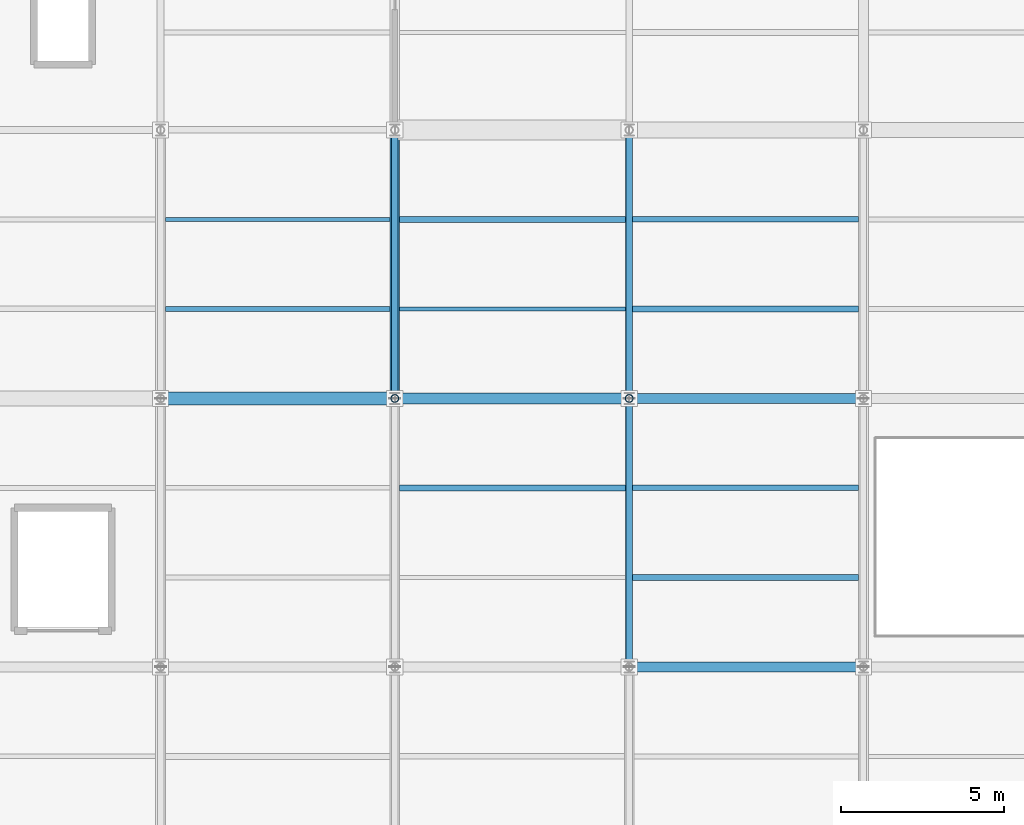
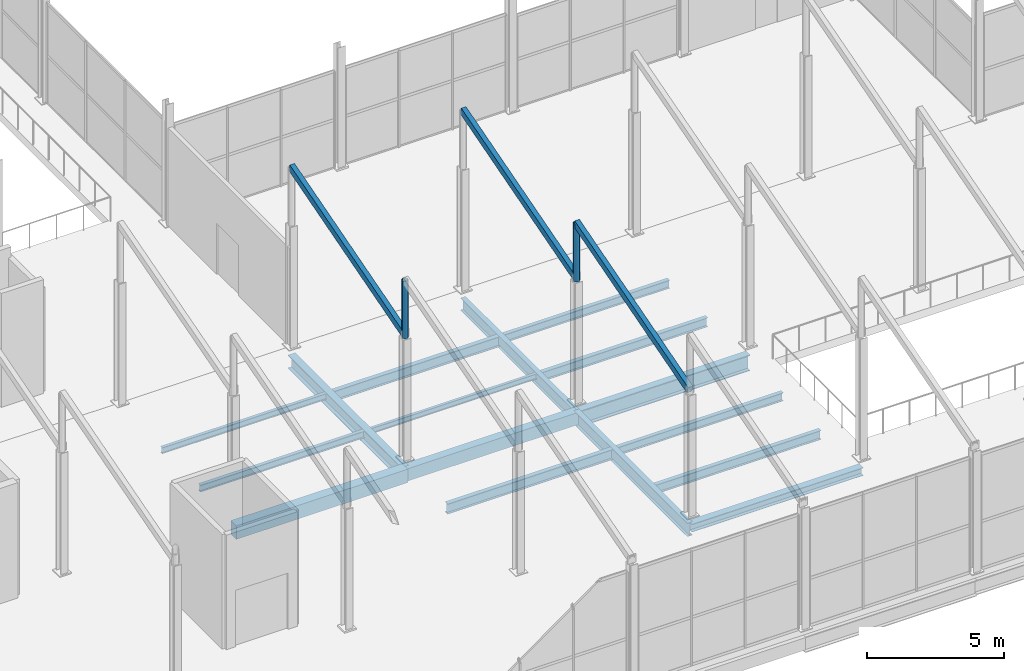
# One storey, part 28 of 141: 16 beams, 5 members.
"""IFC4 building model written with IfcOpenShell, lengths in metres."""

from ifc_helpers import new_model, si_unit, direction, frame, origin, origin_2d, place, context, subcontext, project, spatial, rectangle, hollow_rectangle, hollow_circle, i_section, extrude, material, material_profile, profile_set, type_object, element, save


model = new_model("IFC4")

# Units and contexts
model_context = context("Model", 3, precision=1e-05, world=origin(), true_north=direction((0.0, 1.0)))
body_context = subcontext(model_context, "Body", "Model", "MODEL_VIEW")
ifc_project = project(units=[si_unit("LENGTHUNIT", "METRE"), si_unit("AREAUNIT", "SQUARE_METRE"), si_unit("VOLUMEUNIT", "CUBIC_METRE"), si_unit("PLANEANGLEUNIT", "RADIAN"), si_unit("MASSUNIT", "GRAM", prefix="KILO")], contexts=[model_context])

# Site, building, storey
site_placement = place(None, origin())
site = spatial("IfcSite", under=ifc_project, at=site_placement, CompositionType="ELEMENT")
building_placement = place(site_placement, origin())
building = spatial("IfcBuilding", under=site, at=building_placement, Name="Sundgate Opera House", CompositionType="ELEMENT")
storey_placement = place(building_placement, frame((0.0, 0.0, 11.39990234375)))
storey = spatial("IfcBuildingStorey", under=building, at=storey_placement, Name="L02", CompositionType="ELEMENT", Elevation=11.39990234375)

# Beams
ifc_material_1 = material(Name="Steel S355J2", Category="steel")
ifc_material_profile_1 = material_profile(ifc_material_1, i_section(OverallWidth=0.300048828125, OverallDepth=0.35009765625, WebThickness=0.010009765625, FlangeThickness=0.017578125, at=origin_2d()), Name="HEA 360")
ifc_profile_set_1 = profile_set([ifc_material_profile_1], Name="Steel S355J2")
beam_type_1 = type_object("IfcBeamType", Name="BM-GR-HEA360", PredefinedType="BEAM", material=ifc_profile_set_1)
beam_1_placement = place(storey_placement, frame((124.199951171875, 16.5, -0.52490234375), z_axis=(1.0, 0.0, 0.0), x_axis=(0.0, 1.0, 0.0)))
element("IfcBeam", 1, at=beam_1_placement, inside=storey, type_object=beam_type_1, Name="L02 Primary E-W Girder B1979", PredefinedType="BEAM", context=body_context, shape_type="SweptSolid", body=[
    extrude(i_section(OverallWidth=0.300048828125, OverallDepth=0.35009765625, WebThickness=0.010009765625, FlangeThickness=0.017578125, at=origin_2d()), origin(), (0.0, 0.0, 1.0), 7.199951171875),
])
ifc_material_2 = material(Name="Steel S355J2", Category="steel")
ifc_material_profile_2 = material_profile(ifc_material_2, i_section(OverallWidth=0.300048828125, OverallDepth=0.60009765625, WebThickness=0.015380859375, FlangeThickness=0.030029296875, at=origin_2d()), Name="HEB 600")
ifc_profile_set_2 = profile_set([ifc_material_profile_2], Name="Steel S355J2")
beam_type_2 = type_object("IfcBeamType", Name="BM-GR-HEB600", PredefinedType="BEAM", material=ifc_profile_set_2)
beam_2_placement = place(storey_placement, frame((117.0, 24.75, -0.64990234375), z_axis=(0.0, 1.0, 0.0), x_axis=(-1.0, 0.0, 0.0)))
element("IfcBeam", 2, at=beam_2_placement, inside=storey, type_object=beam_type_2, Name="L02 Primary N-S Girder B1881", PredefinedType="BEAM", context=body_context, shape_type="SweptSolid", body=[
    extrude(i_section(OverallWidth=0.300048828125, OverallDepth=0.60009765625, WebThickness=0.015380859375, FlangeThickness=0.030029296875, at=origin_2d()), origin(), (0.0, 0.0, 1.0), 8.25),
])
ifc_material_3 = material(Name="Steel S355J2", Category="steel")
ifc_material_profile_3 = material_profile(ifc_material_3, i_section(OverallWidth=0.300048828125, OverallDepth=0.699951171875, WebThickness=0.01708984375, FlangeThickness=0.031982421875, at=origin_2d()), Name="HEB 700")
ifc_profile_set_3 = profile_set([ifc_material_profile_3], Name="Steel S355J2")
beam_type_3 = type_object("IfcBeamType", Name="BM-GR-HEB700", PredefinedType="BEAM", material=ifc_profile_set_3)
beam_3_placement = place(storey_placement, frame((124.199951171875, 24.75, -0.699951171875), z_axis=(1.0, 0.0, 0.0), x_axis=(0.0, 1.0, 0.0)))
element("IfcBeam", 3, at=beam_3_placement, inside=storey, type_object=beam_type_3, Name="L02 Primary E-W Girder B1989", PredefinedType="BEAM", context=body_context, shape_type="SweptSolid", body=[
    extrude(i_section(OverallWidth=0.300048828125, OverallDepth=0.699951171875, WebThickness=0.01708984375, FlangeThickness=0.031982421875, at=origin_2d()), origin(), (0.0, 0.0, 1.0), 7.199951171875),
])
ifc_material_4 = material(Name="Steel S355J2", Category="steel")
ifc_material_profile_4 = material_profile(ifc_material_4, i_section(OverallWidth=0.2099609375, OverallDepth=0.550048828125, WebThickness=0.010986328125, FlangeThickness=0.01708984375, at=origin_2d()), Name="IPE 550")
ifc_profile_set_4 = profile_set([ifc_material_profile_4], Name="Steel S355J2")
beam_type_4 = type_object("IfcBeamType", Name="BM-GR-IPE550", PredefinedType="BEAM", material=ifc_profile_set_4)
beam_4_placement = place(storey_placement, frame((124.199951171875, 24.75, -0.625), z_axis=(0.0, 1.0, 0.0), x_axis=(-1.0, 0.0, 0.0)))
element("IfcBeam", 4, at=beam_4_placement, inside=storey, type_object=beam_type_4, Name="L02 Primary N-S Girder B1894", PredefinedType="BEAM", context=body_context, shape_type="SweptSolid", body=[
    extrude(i_section(OverallWidth=0.2099609375, OverallDepth=0.550048828125, WebThickness=0.010986328125, FlangeThickness=0.01708984375, at=origin_2d()), origin(), (0.0, 0.0, 1.0), 8.25),
])
ifc_material_5 = material(Name="Steel S355J2", Category="steel")
ifc_material_profile_5 = material_profile(ifc_material_5, i_section(OverallWidth=0.219970703125, OverallDepth=0.60009765625, WebThickness=0.011962890625, FlangeThickness=0.01904296875, at=origin_2d()), Name="IPE 600")
ifc_profile_set_5 = profile_set([ifc_material_profile_5], Name="Steel S355J2")
beam_type_5 = type_object("IfcBeamType", Name="BM-GR-IPE600", PredefinedType="BEAM", material=ifc_profile_set_5)
beam_5_placement = place(storey_placement, frame((124.199951171875, 16.5, -0.64990234375), z_axis=(0.0, 1.0, 0.0), x_axis=(-1.0, 0.0, 0.0)))
element("IfcBeam", 5, at=beam_5_placement, inside=storey, type_object=beam_type_5, Name="L02 Primary N-S Girder B1893", PredefinedType="BEAM", context=body_context, shape_type="SweptSolid", body=[
    extrude(i_section(OverallWidth=0.219970703125, OverallDepth=0.60009765625, WebThickness=0.011962890625, FlangeThickness=0.01904296875, at=origin_2d()), origin(), (0.0, 0.0, 1.0), 8.25),
])
ifc_material_6 = material(Name="Steel S355J2", Category="steel")
ifc_material_profile_6 = material_profile(ifc_material_6, i_section(OverallWidth=0.1201171875, OverallDepth=0.239990234375, WebThickness=0.006103515625, FlangeThickness=0.009765625, at=origin_2d()), Name="IPE 240")
ifc_profile_set_6 = profile_set([ifc_material_profile_6], Name="Steel S355J2")
beam_type_6 = type_object("IfcBeamType", Name="BM-JS-IPE240", PredefinedType="JOIST", material=ifc_profile_set_6)
beam_6_placement = place(storey_placement, frame((117.14990234375, 27.5, -0.469970703125), z_axis=(1.0, 0.0, 0.0), x_axis=(0.0, 1.0, 0.0)))
element("IfcBeam", 6, at=beam_6_placement, inside=storey, type_object=beam_type_6, Name="L02 Secondary Floor Joist B2184", PredefinedType="JOIST", context=body_context, shape_type="SweptSolid", body=[
    extrude(i_section(OverallWidth=0.1201171875, OverallDepth=0.239990234375, WebThickness=0.006103515625, FlangeThickness=0.009765625, at=origin_2d()), origin(), (0.0, 0.0, 1.0), 6.945068359375),
])
ifc_material_7 = material(Name="Steel S355J2", Category="steel")
ifc_material_profile_7 = material_profile(ifc_material_7, i_section(OverallWidth=0.135009765625, OverallDepth=0.27001953125, WebThickness=0.006591796875, FlangeThickness=0.01025390625, at=origin_2d()), Name="IPE 270")
ifc_profile_set_7 = profile_set([ifc_material_profile_7], Name="Steel S355J2")
beam_type_7 = type_object("IfcBeamType", Name="BM-JS-IPE270", PredefinedType="JOIST", material=ifc_profile_set_7)
beam_7_placement = place(storey_placement, frame((109.949951171875, 30.25, -0.48486328125), z_axis=(1.0, 0.0, 0.0), x_axis=(0.0, 1.0, 0.0)))
element("IfcBeam", 7, at=beam_7_placement, inside=storey, type_object=beam_type_7, Name="L02 Secondary Floor Joist B2183", PredefinedType="JOIST", context=body_context, shape_type="SweptSolid", body=[
    extrude(i_section(OverallWidth=0.135009765625, OverallDepth=0.27001953125, WebThickness=0.006591796875, FlangeThickness=0.01025390625, at=origin_2d()), origin(), (0.0, 0.0, 1.0), 6.900146484375),
])
ifc_material_8 = material(Name="Steel S355J2", Category="steel")
ifc_material_profile_8 = material_profile(ifc_material_8, i_section(OverallWidth=0.14990234375, OverallDepth=0.300048828125, WebThickness=0.007080078125, FlangeThickness=0.0107421875, at=origin_2d()), Name="IPE 300")
ifc_profile_set_8 = profile_set([ifc_material_profile_8], Name="Steel S355J2")
beam_type_8 = type_object("IfcBeamType", Name="BM-JS-IPE300", PredefinedType="JOIST", material=ifc_profile_set_8)
beam_8_placement = place(storey_placement, frame((109.949951171875, 27.5, -0.5), z_axis=(1.0, 0.0, 0.0), x_axis=(0.0, 1.0, 0.0)))
element("IfcBeam", 8, at=beam_8_placement, inside=storey, type_object=beam_type_8, Name="L02 Secondary Floor Joist B2182", PredefinedType="JOIST", context=body_context, shape_type="SweptSolid", body=[
    extrude(i_section(OverallWidth=0.14990234375, OverallDepth=0.300048828125, WebThickness=0.007080078125, FlangeThickness=0.0107421875, at=origin_2d()), origin(), (0.0, 0.0, 1.0), 6.900146484375),
])
ifc_material_9 = material(Name="Steel S355J2", Category="steel")
ifc_material_profile_9 = material_profile(ifc_material_9, i_section(OverallWidth=0.169921875, OverallDepth=0.360107421875, WebThickness=0.008056640625, FlangeThickness=0.0126953125, at=origin_2d()), Name="IPE 360")
ifc_profile_set_9 = profile_set([ifc_material_profile_9], Name="Steel S355J2")
beam_type_9 = type_object("IfcBeamType", Name="BM-JS-IPE360", PredefinedType="JOIST", material=ifc_profile_set_9)
beam_9_placement = place(storey_placement, frame((124.31005859375, 22.0, -0.52978515625), z_axis=(1.0, 0.0, 0.0), x_axis=(0.0, 1.0, 0.0)))
element("IfcBeam", 9, at=beam_9_placement, inside=storey, type_object=beam_type_9, Name="L02 Secondary Floor Joist B2173", PredefinedType="JOIST", context=body_context, shape_type="SweptSolid", body=[
    extrude(i_section(OverallWidth=0.169921875, OverallDepth=0.360107421875, WebThickness=0.008056640625, FlangeThickness=0.0126953125, at=origin_2d()), origin(), (0.0, 0.0, 1.0), 6.93994140625),
])
beam_10_placement = place(storey_placement, frame((124.304931640625, 30.25, -0.52978515625), z_axis=(1.0, 0.0, 0.0), x_axis=(0.0, 1.0, 0.0)))
element("IfcBeam", 10, at=beam_10_placement, inside=storey, type_object=beam_type_9, Name="L02 Secondary Floor Joist B2187", PredefinedType="JOIST", context=body_context, shape_type="SweptSolid", body=[
    extrude(i_section(OverallWidth=0.169921875, OverallDepth=0.360107421875, WebThickness=0.008056640625, FlangeThickness=0.0126953125, at=origin_2d()), origin(), (0.0, 0.0, 1.0), 6.945068359375),
])
ifc_material_10 = material(Name="Steel S355J2", Category="steel")
ifc_material_profile_10 = material_profile(ifc_material_10, i_section(OverallWidth=0.179931640625, OverallDepth=0.39990234375, WebThickness=0.008544921875, FlangeThickness=0.013427734375, at=origin_2d()), Name="IPE 400")
ifc_profile_set_10 = profile_set([ifc_material_profile_10], Name="Steel S355J2")
beam_type_10 = type_object("IfcBeamType", Name="BM-JS-IPE400", PredefinedType="JOIST", material=ifc_profile_set_10)
beam_11_placement = place(storey_placement, frame((124.31005859375, 19.25, -0.5498046875), z_axis=(1.0, 0.0, 0.0), x_axis=(0.0, 1.0, 0.0)))
element("IfcBeam", 11, at=beam_11_placement, inside=storey, type_object=beam_type_10, Name="L02 Secondary Floor Joist B2172", PredefinedType="JOIST", context=body_context, shape_type="SweptSolid", body=[
    extrude(i_section(OverallWidth=0.179931640625, OverallDepth=0.39990234375, WebThickness=0.008544921875, FlangeThickness=0.013427734375, at=origin_2d()), origin(), (0.0, 0.0, 1.0), 6.93994140625),
])
beam_12_placement = place(storey_placement, frame((124.304931640625, 27.5, -0.5498046875), z_axis=(1.0, 0.0, 0.0), x_axis=(0.0, 1.0, 0.0)))
element("IfcBeam", 12, at=beam_12_placement, inside=storey, type_object=beam_type_10, Name="L02 Secondary Floor Joist B2186", PredefinedType="JOIST", context=body_context, shape_type="SweptSolid", body=[
    extrude(i_section(OverallWidth=0.179931640625, OverallDepth=0.39990234375, WebThickness=0.008544921875, FlangeThickness=0.013427734375, at=origin_2d()), origin(), (0.0, 0.0, 1.0), 6.945068359375),
])
ifc_material_11 = material(Name="Steel S355J2", Category="steel")
ifc_material_profile_11 = material_profile(ifc_material_11, i_section(OverallWidth=0.18994140625, OverallDepth=0.449951171875, WebThickness=0.009521484375, FlangeThickness=0.0146484375, at=origin_2d()), Name="IPE 450")
ifc_profile_set_11 = profile_set([ifc_material_profile_11], Name="Steel S355J2")
beam_type_11 = type_object("IfcBeamType", Name="BM-JS-IPE450", PredefinedType="JOIST", material=ifc_profile_set_11)
beam_13_placement = place(storey_placement, frame((117.14990234375, 22.0, -0.574951171875), z_axis=(1.0, 0.0, 0.0), x_axis=(0.0, 1.0, 0.0)))
element("IfcBeam", 13, at=beam_13_placement, inside=storey, type_object=beam_type_11, Name="L02 Secondary Floor Joist B2171", PredefinedType="JOIST", context=body_context, shape_type="SweptSolid", body=[
    extrude(i_section(OverallWidth=0.18994140625, OverallDepth=0.449951171875, WebThickness=0.009521484375, FlangeThickness=0.0146484375, at=origin_2d()), origin(), (0.0, 0.0, 1.0), 6.940185546875),
])
beam_14_placement = place(storey_placement, frame((117.14990234375, 30.25, -0.574951171875), z_axis=(1.0, 0.0, 0.0), x_axis=(0.0, 1.0, 0.0)))
element("IfcBeam", 14, at=beam_14_placement, inside=storey, type_object=beam_type_11, Name="L02 Secondary Floor Joist B2185", PredefinedType="JOIST", context=body_context, shape_type="SweptSolid", body=[
    extrude(i_section(OverallWidth=0.18994140625, OverallDepth=0.449951171875, WebThickness=0.009521484375, FlangeThickness=0.0146484375, at=origin_2d()), origin(), (0.0, 0.0, 1.0), 6.945068359375),
])
ifc_material_12 = material(Name="Concrete C35/45", Category="concrete")
ifc_material_profile_12 = material_profile(ifc_material_12, rectangle(XDim=0.35009765625, YDim=0.550048828125, at=origin_2d()), Name="RC 350x550")
ifc_profile_set_12 = profile_set([ifc_material_profile_12], Name="Concrete C35/45")
beam_type_12 = type_object("IfcBeamType", Name="BM-RC-350x550", PredefinedType="BEAM", material=ifc_profile_set_12)
beam_15_placement = place(storey_placement, frame((117.0, 24.75, -0.625), z_axis=(1.0, 0.0, 0.0), x_axis=(0.0, 1.0, 0.0)))
element("IfcBeam", 15, at=beam_15_placement, inside=storey, type_object=beam_type_12, Name="L02 Primary E-W Girder B1988", PredefinedType="BEAM", context=body_context, shape_type="SweptSolid", body=[
    extrude(rectangle(XDim=0.35009765625, YDim=0.550048828125, at=origin_2d()), origin(), (0.0, 0.0, 1.0), 7.199951171875),
])
ifc_material_13 = material(Name="Concrete C35/45", Category="concrete")
ifc_material_profile_13 = material_profile(ifc_material_13, rectangle(XDim=0.39990234375, YDim=0.60009765625, at=origin_2d()), Name="RC 400x600")
ifc_profile_set_13 = profile_set([ifc_material_profile_13], Name="Concrete C35/45")
beam_type_13 = type_object("IfcBeamType", Name="BM-RC-400x600", PredefinedType="BEAM", material=ifc_profile_set_13)
beam_16_placement = place(storey_placement, frame((109.800048828125, 24.75, -0.64990234375), z_axis=(1.0, 0.0, 0.0), x_axis=(0.0, 1.0, 0.0)))
element("IfcBeam", 16, at=beam_16_placement, inside=storey, type_object=beam_type_13, Name="L02 Primary E-W Girder B1987", PredefinedType="BEAM", context=body_context, shape_type="SweptSolid", body=[
    extrude(rectangle(XDim=0.39990234375, YDim=0.60009765625, at=origin_2d()), origin(), (0.0, 0.0, 1.0), 7.199951171875),
])

# Members
ifc_material_14 = material(Name="Steel S355J2", Category="steel")
ifc_material_profile_14 = material_profile(ifc_material_14, hollow_rectangle(XDim=0.199951171875, YDim=0.300048828125, WallThickness=0.012451171875, at=origin_2d()), Name="RHS 300x200x12.5")
ifc_profile_set_14 = profile_set([ifc_material_profile_14], Name="Steel S355J2")
member_type_1 = type_object("IfcMemberType", Name="MB-CHORD-RHS300", PredefinedType="CHORD", material=ifc_profile_set_14)
for number, where, z_axis, x_axis, name in (
    (17, (124.199951171875, 16.5, 5.550048828125), (0.0, 0.96019072379, 0.279345259398), (-1.0, 0.0, 0.0), "L02 Sawtooth Rafter M0407"),
    (18, (117.0, 24.75, 5.550048828125), (0.0, 0.96019072379, 0.279345259398), (-1.0, 0.0, 0.0), "L02 Sawtooth Rafter M0423"),
    (19, (124.199951171875, 24.75, 5.550048828125), (0.0, 0.96019072379, 0.279345259398), (-1.0, 0.0, 0.0), "L02 Sawtooth Rafter M0425"),
):
    element("IfcMember", number, at=place(storey_placement, frame(where, z_axis=z_axis, x_axis=x_axis)), inside=storey, type_object=member_type_1, Name=name, PredefinedType="CHORD", context=body_context, shape_type="SweptSolid", body=[
        extrude(hollow_rectangle(XDim=0.199951171875, YDim=0.300048828125, WallThickness=0.012451171875, at=origin_2d()), origin(), (0.0, 0.0, 1.0), 8.592041015625),
    ])
ifc_material_15 = material(Name="Steel S355J2", Category="steel")
ifc_material_profile_15 = material_profile(ifc_material_15, hollow_circle(Radius=0.122314453125, WallThickness=0.012451171875, at=origin_2d()), Name="CHS 244.5x12.5")
ifc_profile_set_15 = profile_set([ifc_material_profile_15], Name="Steel S355J2")
member_type_2 = type_object("IfcMemberType", Name="MB-STRUT-CHS244", PredefinedType="STRUT", material=ifc_profile_set_15)
for number, where, z_axis, x_axis, name in (
    (20, (117.0, 24.75, 5.400146484375), (0.0, 0.0, 1.0), (1.0, 0.0, 0.0), "L02 Sawtooth Northlight Post M0406"),
    (21, (124.199951171875, 24.75, 5.400146484375), (0.0, 0.0, 1.0), (1.0, 0.0, 0.0), "L02 Sawtooth Northlight Post M0408"),
):
    element("IfcMember", number, at=place(storey_placement, frame(where, z_axis=z_axis, x_axis=x_axis)), inside=storey, type_object=member_type_2, Name=name, PredefinedType="STRUT", context=body_context, shape_type="SweptSolid", body=[
        extrude(hollow_circle(Radius=0.122314453125, WallThickness=0.012451171875, at=origin_2d()), origin(), (0.0, 0.0, 1.0), 2.550048828125),
    ])

save(model, "model.ifc")
